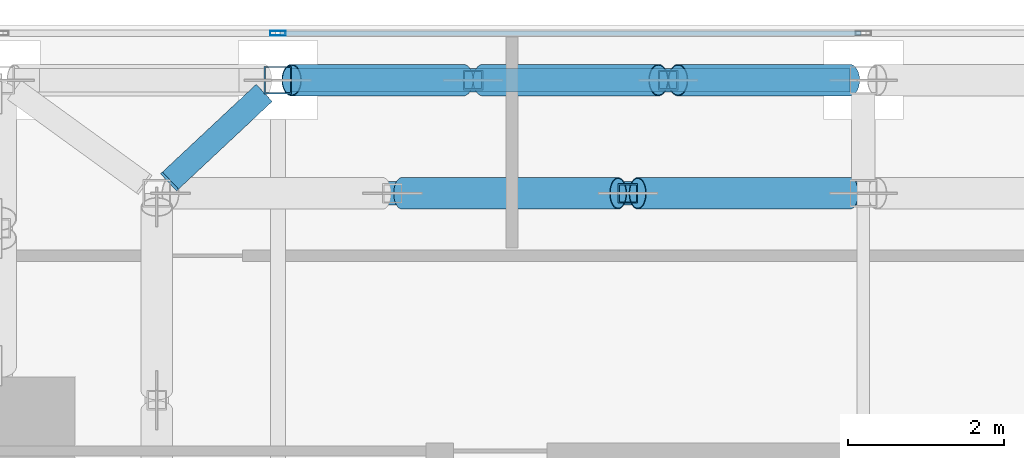
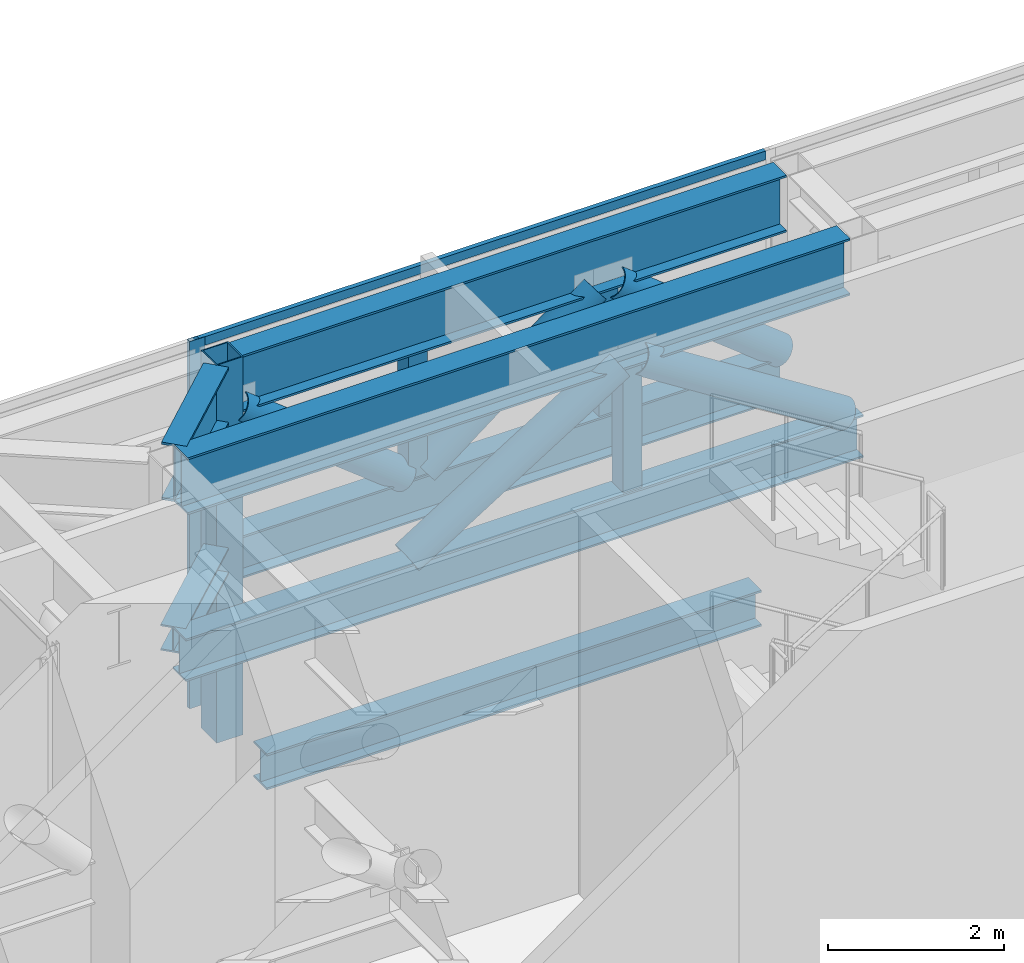
# One storey, part 20 of 36: 15 members, 3 beams, 1 element without a shape of its own.
"""IFC4 building model written with IfcOpenShell, lengths in metres."""

from ifc_helpers import new_model, si_unit, direction, frame, origin, origin_2d, place, context, subcontext, project, spatial, hollow_rectangle, hollow_circle, i_section, extrude, source, transform, mapped, material, material_profile, profile_set, type_object, element, aggregate, save


model = new_model("IFC4")

# Units and contexts
model_context = context("Model", 3, precision=1e-05, world=origin(), true_north=direction((0.0, 1.0)))
body_context = subcontext(model_context, "Body", "Model", "MODEL_VIEW")
ifc_project = project(units=[si_unit("LENGTHUNIT", "METRE"), si_unit("AREAUNIT", "SQUARE_METRE"), si_unit("VOLUMEUNIT", "CUBIC_METRE"), si_unit("PLANEANGLEUNIT", "RADIAN"), si_unit("MASSUNIT", "GRAM", prefix="KILO")], contexts=[model_context])

# Site, building, storey
site_placement = place(None, origin())
site = spatial("IfcSite", under=ifc_project, at=site_placement, CompositionType="ELEMENT")
building_placement = place(site_placement, origin())
building = spatial("IfcBuilding", under=site, at=building_placement, Name="Khomas Fold Tower", CompositionType="ELEMENT")
storey_placement = place(building_placement, frame((0.0, 0.0, 216.699951171875)))
storey = spatial("IfcBuildingStorey", under=building, at=storey_placement, Name="L48", CompositionType="ELEMENT", Elevation=216.699951171875)

# Beam
ifc_material_1 = material(Name="Steel S355", Category="steel")
ifc_material_profile_1 = material_profile(ifc_material_1, i_section(OverallWidth=0.300048828125, OverallDepth=0.5, WebThickness=0.014404296875, FlangeThickness=0.028076171875, at=origin_2d()), Name="HE 500 B")
ifc_profile_set_1 = profile_set([ifc_material_profile_1], Name="Steel S355")
beam_type_1 = type_object("IfcBeamType", Name="HE 500 B spandrel SB3", PredefinedType="SPANDREL", material=ifc_profile_set_1)
shared_shape_1 = source(origin(), body_context, "Body", "SweptSolid", [
    extrude(i_section(OverallWidth=0.300048828125, OverallDepth=0.5, WebThickness=0.014404296875, FlangeThickness=0.028076171875, at=origin_2d()), origin(), (0.0, 0.0, 1.0), 6.5),
])
beam_1_placement = place(storey_placement, frame((12.5, 50.300048828125, -0.64990234375), z_axis=(1.0, 0.0, 0.0), x_axis=(0.0, 1.0, 0.0)))
element("IfcBeam", 1, at=beam_1_placement, inside=storey, type_object=beam_type_1, Name="SB3", PredefinedType="SPANDREL", context=body_context, shape_type="MappedRepresentation", body=[
    mapped(shared_shape_1, transform((0.0, 0.0, 0.0))),
])

# Members
ifc_material_2 = material(Name="Steel S355", Category="steel")
ifc_material_profile_2 = material_profile(ifc_material_2, i_section(OverallWidth=0.300048828125, OverallDepth=0.7900390625, WebThickness=0.014892578125, FlangeThickness=0.028076171875, at=origin_2d()), Name="HE 800 A")
ifc_profile_set_2 = profile_set([ifc_material_profile_2], Name="Steel S355")
member_type_1 = type_object("IfcMemberType", Name="BELT TRUSS 3 TOP CHORD HE 800 A", PredefinedType="CHORD", material=ifc_profile_set_2)
shared_shape_2 = source(origin(), body_context, "Body", "SweptSolid", [
    extrude(i_section(OverallWidth=0.300048828125, OverallDepth=0.7900390625, WebThickness=0.014892578125, FlangeThickness=0.028076171875, at=origin_2d()), origin(), (0.0, 0.0, 1.0), 7.14990234375),
])
member_1_placement = place(storey_placement, frame((19.324951171875, 50.300048828125, 4.85498046875), z_axis=(-1.0, 0.0, 0.0), x_axis=(0.0, -1.0, 0.0)))
element("IfcMember", 2, at=member_1_placement, inside=storey, type_object=member_type_1, Name="BT3-CT", PredefinedType="CHORD", context=body_context, shape_type="MappedRepresentation", body=[
    mapped(shared_shape_2, transform((0.0, 0.0, 0.0))),
])
ifc_material_3 = material(Name="Steel S355", Category="steel")
ifc_material_profile_3 = material_profile(ifc_material_3, i_section(OverallWidth=0.300048828125, OverallDepth=0.590087890625, WebThickness=0.012939453125, FlangeThickness=0.02490234375, at=origin_2d()), Name="HE 600 A")
ifc_profile_set_3 = profile_set([ifc_material_profile_3], Name="Steel S355")
member_type_2 = type_object("IfcMemberType", Name="BELT TRUSS 3 BOTTOM CHORD HE 600 A", PredefinedType="CHORD", material=ifc_profile_set_3)
shared_shape_3 = source(origin(), body_context, "Body", "SweptSolid", [
    extrude(i_section(OverallWidth=0.300048828125, OverallDepth=0.590087890625, WebThickness=0.012939453125, FlangeThickness=0.02490234375, at=origin_2d()), origin(), (0.0, 0.0, 1.0), 7.14990234375),
])
member_2_placement = place(storey_placement, frame((19.324951171875, 50.300048828125, 2.445068359375), z_axis=(-1.0, 0.0, 0.0), x_axis=(0.0, -1.0, 0.0)))
element("IfcMember", 3, at=member_2_placement, inside=storey, type_object=member_type_2, Name="BT3-CB", PredefinedType="CHORD", context=body_context, shape_type="MappedRepresentation", body=[
    mapped(shared_shape_3, transform((0.0, 0.0, 0.0))),
])
ifc_material_4 = material(Name="Steel S355", Category="steel")
ifc_material_profile_4 = material_profile(ifc_material_4, hollow_circle(Radius=0.203125, WallThickness=0.012451171875, at=origin_2d()), Name="CHS 406.4x12.5")
ifc_profile_set_4 = profile_set([ifc_material_profile_4], Name="Steel S355")
member_type_3 = type_object("IfcMemberType", Name="BELT TRUSS 3 DIAGONAL CHS 406.4x12.5", PredefinedType="BRACE", material=ifc_profile_set_4)
shared_shape_4 = source(origin(), body_context, "Body", "SweptSolid", [
    extrude(hollow_circle(Radius=0.203125, WallThickness=0.012451171875, at=origin_2d()), origin(), (0.0, 0.0, 1.0), 2.798583984375),
])
for number, where, z_axis, x_axis, name in (
    (4, (19.324951171875, 50.300048828125, 2.735107421875), (-0.786067028411, 0.0, 0.618141267709), (0.0, -1.0, 0.0), "BT3-D"),
    (5, (14.375, 50.300048828125, 2.735107421875), (-0.786067028411, 0.0, 0.618141267709), (0.0, -1.0, 0.0), "BT3-D"),
):
    element("IfcMember", number, at=place(storey_placement, frame(where, z_axis=z_axis, x_axis=x_axis)), inside=storey, type_object=member_type_3, Name=name, PredefinedType="BRACE", context=body_context, shape_type="MappedRepresentation", body=[
        mapped(shared_shape_4, transform((0.0, 0.0, 0.0))),
    ])
shared_shape_5 = source(origin(), body_context, "Body", "SweptSolid", [
    extrude(hollow_circle(Radius=0.203125, WallThickness=0.012451171875, at=origin_2d()), origin(), (0.0, 0.0, 1.0), 2.838134765625),
])
member_3_placement = place(storey_placement, frame((16.875, 50.300048828125, 4.465087890625), z_axis=(-0.792758275848, 0.0, -0.609536148292), x_axis=(0.0, -1.0, 0.0)))
element("IfcMember", 6, at=member_3_placement, inside=storey, type_object=member_type_3, Name="BT3-D", PredefinedType="BRACE", context=body_context, shape_type="MappedRepresentation", body=[
    mapped(shared_shape_5, transform((0.0, 0.0, 0.0))),
])
ifc_material_5 = material(Name="Steel S355", Category="steel")
ifc_material_profile_5 = material_profile(ifc_material_5, hollow_rectangle(XDim=0.25, YDim=0.25, WallThickness=0.01611328125, at=origin_2d()), Name="SHS 250x250x16")
ifc_profile_set_5 = profile_set([ifc_material_profile_5], Name="Steel S355")
member_type_4 = type_object("IfcMemberType", Name="BELT TRUSS 3 MID POST SHS 250x250x16", PredefinedType="POST", material=ifc_profile_set_5)
shared_shape_6 = source(origin(), body_context, "Body", "SweptSolid", [
    extrude(hollow_rectangle(XDim=0.25, YDim=0.25, WallThickness=0.01611328125, at=origin_2d()), origin(), (0.0, 0.0, 1.0), 1.719970703125),
])
for number, where, z_axis, x_axis, name in (
    (7, (17.0, 50.300048828125, 2.739990234375), (0.0, 0.0, 1.0), (1.0, 0.0, 0.0), "BT3-M"),
    (8, (14.5, 50.300048828125, 2.739990234375), (0.0, 0.0, 1.0), (1.0, 0.0, 0.0), "BT3-M"),
    (9, (16.4833984375, 48.85009765625, 2.739990234375), (0.0, 0.0, 1.0), (1.0, 0.0, 0.0), "BT3-M"),
):
    element("IfcMember", number, at=place(storey_placement, frame(where, z_axis=z_axis, x_axis=x_axis)), inside=storey, type_object=member_type_4, Name=name, PredefinedType="POST", context=body_context, shape_type="MappedRepresentation", body=[
        mapped(shared_shape_6, transform((0.0, 0.0, 0.0))),
    ])
ifc_material_6 = material(Name="Steel S355", Category="steel")
ifc_material_profile_6 = material_profile(ifc_material_6, i_section(OverallWidth=0.300048828125, OverallDepth=0.7900390625, WebThickness=0.014892578125, FlangeThickness=0.028076171875, at=origin_2d()), Name="HE 800 A")
ifc_profile_set_6 = profile_set([ifc_material_profile_6], Name="Steel S355")
member_type_5 = type_object("IfcMemberType", Name="BELT TRUSS 3 TOP CHORD LONG HE 800 A", PredefinedType="CHORD", material=ifc_profile_set_6)
shared_shape_7 = source(origin(), body_context, "Body", "SweptSolid", [
    extrude(i_section(OverallWidth=0.300048828125, OverallDepth=0.7900390625, WebThickness=0.014892578125, FlangeThickness=0.028076171875, at=origin_2d()), origin(), (0.0, 0.0, 1.0), 8.699951171875),
])
member_4_placement = place(storey_placement, frame((19.324951171875, 48.85009765625, 4.85498046875), z_axis=(-1.0, 0.0, 0.0), x_axis=(0.0, -1.0, 0.0)))
element("IfcMember", 10, at=member_4_placement, inside=storey, type_object=member_type_5, Name="BT3-CTL", PredefinedType="CHORD", context=body_context, shape_type="MappedRepresentation", body=[
    mapped(shared_shape_7, transform((0.0, 0.0, 0.0))),
])
ifc_material_7 = material(Name="Steel S355", Category="steel")
ifc_material_profile_7 = material_profile(ifc_material_7, i_section(OverallWidth=0.300048828125, OverallDepth=0.590087890625, WebThickness=0.012939453125, FlangeThickness=0.02490234375, at=origin_2d()), Name="HE 600 A")
ifc_profile_set_7 = profile_set([ifc_material_profile_7], Name="Steel S355")
member_type_6 = type_object("IfcMemberType", Name="BELT TRUSS 3 BOTTOM CHORD LONG HE 600 A", PredefinedType="CHORD", material=ifc_profile_set_7)
shared_shape_8 = source(origin(), body_context, "Body", "SweptSolid", [
    extrude(i_section(OverallWidth=0.300048828125, OverallDepth=0.590087890625, WebThickness=0.012939453125, FlangeThickness=0.02490234375, at=origin_2d()), origin(), (0.0, 0.0, 1.0), 8.89990234375),
])
member_5_placement = place(storey_placement, frame((19.5, 48.85009765625, 2.445068359375), z_axis=(-1.0, 0.0, 0.0), x_axis=(0.0, -1.0, 0.0)))
element("IfcMember", 11, at=member_5_placement, inside=storey, type_object=member_type_6, Name="BT3-CBL", PredefinedType="CHORD", context=body_context, shape_type="MappedRepresentation", body=[
    mapped(shared_shape_8, transform((0.0, 0.0, 0.0))),
])
shared_shape_9 = source(origin(), body_context, "Body", "SweptSolid", [
    extrude(hollow_circle(Radius=0.203125, WallThickness=0.012451171875, at=origin_2d()), origin(), (0.0, 0.0, 1.0), 3.220703125),
])
member_6_placement = place(storey_placement, frame((19.324951171875, 48.85009765625, 2.735107421875), z_axis=(-0.843483522339, 0.0, 0.537155049815), x_axis=(0.0, -1.0, 0.0)))
element("IfcMember", 12, at=member_6_placement, inside=storey, type_object=member_type_3, Name="BT3-D", PredefinedType="BRACE", context=body_context, shape_type="MappedRepresentation", body=[
    mapped(shared_shape_9, transform((0.0, 0.0, 0.0))),
])
shared_shape_10 = source(origin(), body_context, "Body", "SweptSolid", [
    extrude(hollow_circle(Radius=0.203125, WallThickness=0.012451171875, at=origin_2d()), origin(), (0.0, 0.0, 1.0), 3.26318359375),
])
member_7_placement = place(storey_placement, frame((16.3583984375, 48.85009765625, 4.465087890625), z_axis=(-0.847901616183, 0.0, -0.53015360913), x_axis=(0.0, -1.0, 0.0)))
element("IfcMember", 13, at=member_7_placement, inside=storey, type_object=member_type_3, Name="BT3-D", PredefinedType="BRACE", context=body_context, shape_type="MappedRepresentation", body=[
    mapped(shared_shape_10, transform((0.0, 0.0, 0.0))),
])
ifc_material_8 = material(Name="Steel S355", Category="steel")
ifc_material_profile_8 = material_profile(ifc_material_8, hollow_rectangle(XDim=0.35009765625, YDim=0.35009765625, WallThickness=0.01611328125, at=origin_2d()), Name="SHS 350x350x16")
ifc_profile_set_8 = profile_set([ifc_material_profile_8], Name="Steel S355")
member_type_7 = type_object("IfcMemberType", Name="BELT TRUSS 3 COLUMN POST SHS 350x350x16", PredefinedType="POST", material=ifc_profile_set_8)
shared_shape_11 = source(origin(), body_context, "Body", "SweptSolid", [
    extrude(hollow_rectangle(XDim=0.35009765625, YDim=0.35009765625, WallThickness=0.01611328125, at=origin_2d()), origin(), (0.0, 0.0, 1.0), 5.25),
])
member_8_placement = place(storey_placement, frame((12.0, 50.300048828125, 0.0), z_axis=(0.0, 0.0, 1.0), x_axis=(1.0, 0.0, 0.0)))
element("IfcMember", 14, at=member_8_placement, inside=storey, type_object=member_type_7, Name="BT3-P", PredefinedType="POST", context=body_context, shape_type="MappedRepresentation", body=[
    mapped(shared_shape_11, transform((0.0, 0.0, 0.0))),
])

# Beams
ifc_material_9 = material(Name="Steel S460M", Category="steel")
ifc_material_profile_9 = material_profile(ifc_material_9, i_section(OverallWidth=0.300048828125, OverallDepth=0.800048828125, WebThickness=0.017578125, FlangeThickness=0.032958984375, at=origin_2d()), Name="HE 800 B")
ifc_profile_set_9 = profile_set([ifc_material_profile_9], Name="Steel S460M")
beam_type_2 = type_object("IfcBeamType", Name="BELT TRUSS 3 TOP TRANSFER STRUT HE 800 B", PredefinedType="BEAM", material=ifc_profile_set_9)
shared_shape_12 = source(origin(), body_context, "Body", "SweptSolid", [
    extrude(i_section(OverallWidth=0.300048828125, OverallDepth=0.800048828125, WebThickness=0.017578125, FlangeThickness=0.032958984375, at=origin_2d()), origin(), (0.0, 0.0, 1.0), 1.64306640625),
])
beam_2_placement = place(storey_placement, frame((10.625, 49.013671875, 4.85009765625), z_axis=(0.730264240146, 0.683164796783, 0.0), x_axis=(-0.683164796783, 0.730264240146, 0.0)))
element("IfcBeam", 15, at=beam_2_placement, inside=storey, type_object=beam_type_2, Name="BT3-STD", PredefinedType="BEAM", context=body_context, shape_type="MappedRepresentation", body=[
    mapped(shared_shape_12, transform((0.0, 0.0, 0.0))),
])
ifc_material_10 = material(Name="Steel S355", Category="steel")
ifc_material_profile_10 = material_profile(ifc_material_10, i_section(OverallWidth=0.300048828125, OverallDepth=0.360107421875, WebThickness=0.012451171875, FlangeThickness=0.0224609375, at=origin_2d()), Name="HE 360 B")
ifc_profile_set_10 = profile_set([ifc_material_profile_10], Name="Steel S355")
beam_type_3 = type_object("IfcBeamType", Name="BELT TRUSS 3 BOTTOM STRUT HE 360 B", PredefinedType="BEAM", material=ifc_profile_set_10)
shared_shape_13 = source(origin(), body_context, "Body", "SweptSolid", [
    extrude(i_section(OverallWidth=0.300048828125, OverallDepth=0.360107421875, WebThickness=0.012451171875, FlangeThickness=0.0224609375, at=origin_2d()), origin(), (0.0, 0.0, 1.0), 1.677490234375),
])
beam_3_placement = place(storey_placement, frame((10.60009765625, 48.990234375, 2.56005859375), z_axis=(0.730222222008, 0.68320970901, 0.0), x_axis=(-0.68320970901, 0.730222222008, 0.0)))
element("IfcBeam", 16, at=beam_3_placement, inside=storey, type_object=beam_type_3, Name="BT3-SB", PredefinedType="BEAM", context=body_context, shape_type="MappedRepresentation", body=[
    mapped(shared_shape_13, transform((0.0, 0.0, 0.0))),
])

# Curtain wall, members
ifc_material_11 = material(Name="Aluminium framed double glazing", Category="aluminium")
curtain_wall_type = type_object("IfcCurtainWallType", Name="SK-Plant louvre wall CW4", PredefinedType="NOTDEFINED", material=ifc_material_11)
curtain_wall_placement = place(storey_placement, origin())
curtain_wall = element("IfcCurtainWall", 17, at=curtain_wall_placement, inside=storey, type_object=curtain_wall_type, Name="CW4 run L48 06-0", PredefinedType="NOTDEFINED")
ifc_material_12 = material(Name="Aluminium", Category="aluminium")
ifc_material_profile_11 = material_profile(ifc_material_12, hollow_rectangle(XDim=0.06005859375, YDim=0.199951171875, WallThickness=0.00390625, at=origin_2d()), Name="SK-Plant louvre wall mullion CW4-M")
ifc_profile_set_11 = profile_set([ifc_material_profile_11], Name="Aluminium")
member_type_8 = type_object("IfcMemberType", Name="SK-Plant louvre wall mullion CW4-M", PredefinedType="MULLION", material=ifc_profile_set_11)
shared_shape_14 = source(origin(), body_context, "Body", "SweptSolid", [
    extrude(hollow_rectangle(XDim=0.06005859375, YDim=0.199951171875, WallThickness=0.00390625, at=origin_2d()), origin(), (0.0, 0.0, 1.0), 5.10009765625),
])
member_9_placement = place(storey_placement, frame((12.0, 50.89990234375, 0.0), z_axis=(0.0, 0.0, 1.0), x_axis=(0.0, -1.0, 0.0)))
member_9 = element("IfcMember", 18, at=member_9_placement, type_object=member_type_8, Name="CW4 mullion 5", PredefinedType="MULLION", context=body_context, shape_type="MappedRepresentation", body=[
    mapped(shared_shape_14, transform((0.0, 0.0, 0.0))),
])
ifc_material_13 = material(Name="Aluminium", Category="aluminium")
ifc_material_profile_12 = material_profile(ifc_material_13, hollow_rectangle(XDim=0.06005859375, YDim=0.1201171875, WallThickness=0.00390625, at=origin_2d()), Name="SK-Plant louvre wall transom CW4-T")
ifc_profile_set_12 = profile_set([ifc_material_profile_12], Name="Aluminium")
member_type_9 = type_object("IfcMemberType", Name="SK-Plant louvre wall transom CW4-T", PredefinedType="USERDEFINED", material=ifc_profile_set_12)
shared_shape_15 = source(origin(), body_context, "Body", "SweptSolid", [
    extrude(hollow_rectangle(XDim=0.06005859375, YDim=0.1201171875, WallThickness=0.00390625, at=origin_2d()), origin(), (0.0, 0.0, 1.0), 7.43994140625),
])
member_10_placement = place(storey_placement, frame((19.469970703125, 50.89990234375, 5.0400390625), z_axis=(-1.0, 0.0, 0.0), x_axis=(0.0, -1.0, 0.0)))
member_10 = element("IfcMember", 19, at=member_10_placement, type_object=member_type_9, Name="CW4 transom 4", ObjectType="TRANSOM", PredefinedType="USERDEFINED", context=body_context, shape_type="MappedRepresentation", body=[
    mapped(shared_shape_15, transform((0.0, 0.0, 0.0))),
])
aggregate(curtain_wall, [member_9, member_10])

save(model, "model.ifc")
